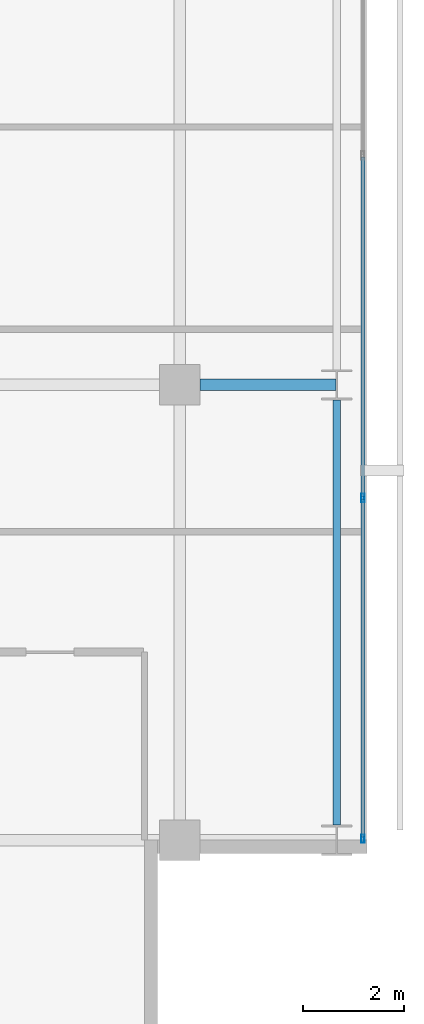
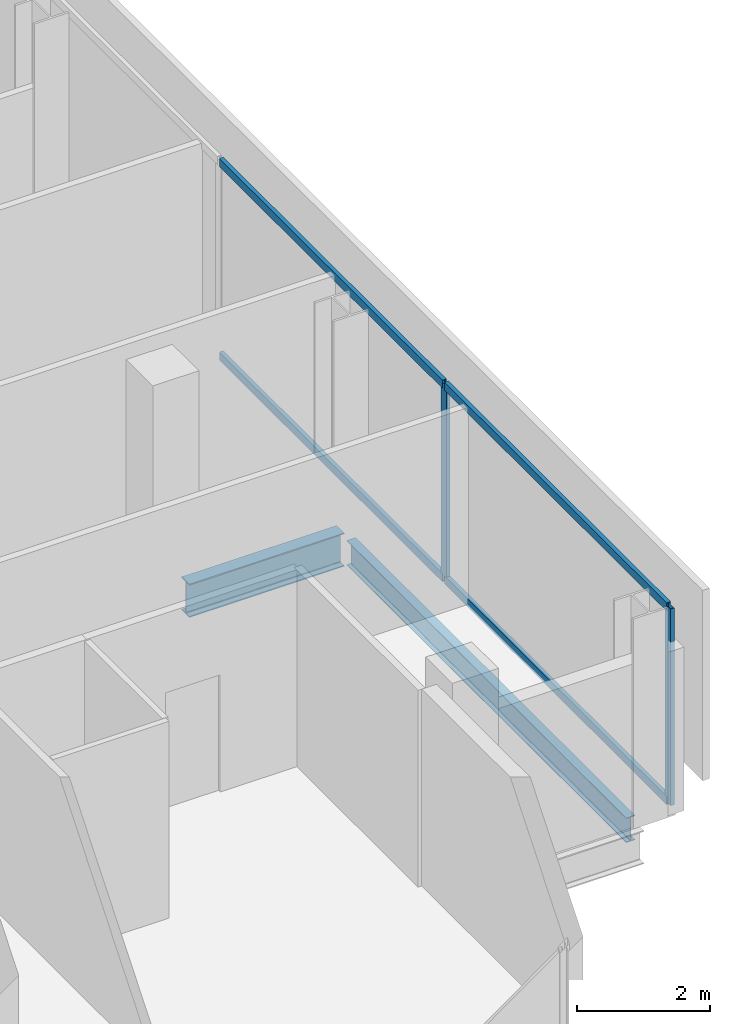
# One storey, part 15 of 34: 6 members, 2 beams, 1 element without a shape of its own.
"""IFC4 building model written with IfcOpenShell, lengths in metres."""

from ifc_helpers import new_model, si_unit, direction, frame, origin, origin_2d, place, context, subcontext, project, spatial, hollow_rectangle, i_section, extrude, material, layer, layer_set, material_profile, profile_set, type_object, element, aggregate, save


model = new_model("IFC4")

# Units and contexts
model_context = context("Model", 3, precision=1e-05, world=origin(), true_north=direction((0.0, 1.0)))
body_context = subcontext(model_context, "Body", "Model", "MODEL_VIEW")
ifc_project = project(units=[si_unit("LENGTHUNIT", "METRE"), si_unit("AREAUNIT", "SQUARE_METRE"), si_unit("VOLUMEUNIT", "CUBIC_METRE"), si_unit("PLANEANGLEUNIT", "RADIAN"), si_unit("MASSUNIT", "GRAM", prefix="KILO")], contexts=[model_context])

# Site, building, storey
site_placement = place(None, origin())
site = spatial("IfcSite", under=ifc_project, at=site_placement, CompositionType="ELEMENT")
building_placement = place(site_placement, origin())
building = spatial("IfcBuilding", under=site, at=building_placement, Name="Maruvema Waterfront Hotel and Observation Tower", CompositionType="ELEMENT")
storey_placement = place(building_placement, frame((0.0, 0.0, 127.39990234375)))
storey = spatial("IfcBuildingStorey", under=building, at=storey_placement, Name="L30", CompositionType="ELEMENT", Elevation=127.39990234375)

# Curtain wall, members
ifc_material_1 = material(Name="Anodised bronze aluminium and solar-control low-E IGU", Category="aluminium")
ifc_layer = layer(ifc_material_1, 0.159912109375, Name="Zone 2 Amber Inner Thermal Curtain Wall System CW-03")
ifc_layer_set = layer_set([ifc_layer], Name="Anodised bronze aluminium and solar-control low-E IGU")
curtain_wall_type = type_object("IfcCurtainWallType", Name="Zone 2 Amber Inner Thermal Curtain Wall System CW-03", PredefinedType="USERDEFINED", material=ifc_layer_set)
curtain_wall_placement = place(storey_placement, origin())
curtain_wall = element("IfcCurtainWall", 1, at=curtain_wall_placement, inside=storey, type_object=curtain_wall_type, Name="L30 Curtain Wall CW-L30-E", ObjectType="UNITISED CURTAIN WALL", PredefinedType="USERDEFINED")
ifc_material_2 = material(Name="Anodised architectural bronze aluminium", Category="aluminium")
ifc_material_profile_1 = material_profile(ifc_material_2, hollow_rectangle(XDim=0.070068359375, YDim=0.14990234375, WallThickness=0.00390625, at=origin_2d()), Name="ALU-T70x150")
ifc_profile_set_1 = profile_set([ifc_material_profile_1], Name="Anodised architectural bronze aluminium")
member_type_1 = type_object("IfcMemberType", Name="Curtain Wall Horizontal Transom ALU-T70x150", PredefinedType="USERDEFINED", material=ifc_profile_set_1)
member_1_placement = place(storey_placement, frame((62.419921875, 9.06005859375, 0.030029296875), z_axis=(0.0, 1.0, 0.0), x_axis=(-1.0, 0.0, 0.0)))
member_1 = element("IfcMember", 2, at=member_1_placement, type_object=member_type_1, Name="CW-03 transom 1.1", ObjectType="TRANSOM", PredefinedType="USERDEFINED", context=body_context, shape_type="SweptSolid", body=[
    extrude(hollow_rectangle(XDim=0.070068359375, YDim=0.14990234375, WallThickness=0.00390625, at=origin_2d()), origin(), (0.0, 0.0, 1.0), 6.676513671875),
])
member_2_placement = place(storey_placement, frame((62.419921875, 9.06005859375, 3.580078125), z_axis=(0.0, 1.0, 0.0), x_axis=(-1.0, 0.0, 0.0)))
member_2 = element("IfcMember", 3, at=member_2_placement, type_object=member_type_1, Name="CW-03 transom 1.2", ObjectType="TRANSOM", PredefinedType="USERDEFINED", context=body_context, shape_type="SweptSolid", body=[
    extrude(hollow_rectangle(XDim=0.070068359375, YDim=0.14990234375, WallThickness=0.00390625, at=origin_2d()), origin(), (0.0, 0.0, 1.0), 6.676513671875),
])
member_3_placement = place(storey_placement, frame((62.419921875, 15.796630859375, 0.030029296875), z_axis=(0.0, 1.0, 0.0), x_axis=(-1.0, 0.0, 0.0)))
member_3 = element("IfcMember", 4, at=member_3_placement, type_object=member_type_1, Name="CW-03 transom 2.1", ObjectType="TRANSOM", PredefinedType="USERDEFINED", context=body_context, shape_type="SweptSolid", body=[
    extrude(hollow_rectangle(XDim=0.070068359375, YDim=0.14990234375, WallThickness=0.00390625, at=origin_2d()), origin(), (0.0, 0.0, 1.0), 6.706787109375),
])
member_4_placement = place(storey_placement, frame((62.419921875, 15.796630859375, 3.580078125), z_axis=(0.0, 1.0, 0.0), x_axis=(-1.0, 0.0, 0.0)))
member_4 = element("IfcMember", 5, at=member_4_placement, type_object=member_type_1, Name="CW-03 transom 2.2", ObjectType="TRANSOM", PredefinedType="USERDEFINED", context=body_context, shape_type="SweptSolid", body=[
    extrude(hollow_rectangle(XDim=0.070068359375, YDim=0.14990234375, WallThickness=0.00390625, at=origin_2d()), origin(), (0.0, 0.0, 1.0), 6.706787109375),
])
ifc_material_3 = material(Name="Anodised architectural bronze aluminium", Category="aluminium")
ifc_material_profile_2 = material_profile(ifc_material_3, hollow_rectangle(XDim=0.06494140625, YDim=0.1650390625, WallThickness=0.00390625, at=origin_2d()), Name="ALU-M65x165")
ifc_profile_set_2 = profile_set([ifc_material_profile_2], Name="Anodised architectural bronze aluminium")
member_type_2 = type_object("IfcMemberType", Name="Curtain Wall Primary Mullion ALU-M65x165", PredefinedType="MULLION", material=ifc_profile_set_2)
member_5_placement = place(storey_placement, frame((62.419921875, 9.030029296875, 0.0), z_axis=(0.0, 0.0, 1.0), x_axis=(-1.0, 0.0, 0.0)))
member_5 = element("IfcMember", 6, at=member_5_placement, type_object=member_type_2, Name="CW-03 mullion 1", PredefinedType="MULLION", context=body_context, shape_type="SweptSolid", body=[
    extrude(hollow_rectangle(XDim=0.06494140625, YDim=0.1650390625, WallThickness=0.00390625, at=origin_2d()), origin(), (0.0, 0.0, 1.0), 3.610107421875),
])
member_6_placement = place(storey_placement, frame((62.419921875, 15.7666015625, 0.0), z_axis=(0.0, 0.0, 1.0), x_axis=(-1.0, 0.0, 0.0)))
member_6 = element("IfcMember", 7, at=member_6_placement, type_object=member_type_2, Name="CW-03 mullion 2", PredefinedType="MULLION", context=body_context, shape_type="SweptSolid", body=[
    extrude(hollow_rectangle(XDim=0.06494140625, YDim=0.1650390625, WallThickness=0.00390625, at=origin_2d()), origin(), (0.0, 0.0, 1.0), 3.610107421875),
])
aggregate(curtain_wall, [member_5, member_6, member_1, member_2, member_3, member_4])

# Beams
ifc_material_4 = material(Name="Steel ASTM A572 Grade 50", Category="steel")
ifc_material_profile_3 = material_profile(ifc_material_4, i_section(OverallWidth=0.153076171875, OverallDepth=0.455078125, WebThickness=0.008056640625, FlangeThickness=0.01318359375, FilletRadius=0.014892578125, at=origin_2d()), Name="W460x60.0")
ifc_profile_set_3 = profile_set([ifc_material_profile_3], Name="Steel ASTM A572 Grade 50")
beam_type_1 = type_object("IfcBeamType", Name="Perimeter Spandrel Beam W460x60.0", PredefinedType="SPANDREL", material=ifc_profile_set_3)
beam_1_placement = place(storey_placement, frame((61.89990234375, 9.300048828125, -0.46728515625), z_axis=(0.0, 1.0, 0.0), x_axis=(-1.0, 0.0, 0.0)))
element("IfcBeam", 8, at=beam_1_placement, inside=storey, type_object=beam_type_1, Name="L30 Floor Girder NS-29", PredefinedType="SPANDREL", context=body_context, shape_type="SweptSolid", body=[
    extrude(i_section(OverallWidth=0.153076171875, OverallDepth=0.455078125, WebThickness=0.008056640625, FlangeThickness=0.01318359375, FilletRadius=0.014892578125, at=origin_2d()), origin(), (0.0, 0.0, 1.0), 8.39990234375),
])
ifc_material_5 = material(Name="Steel ASTM A572 Grade 50", Category="steel")
ifc_material_profile_4 = material_profile(ifc_material_5, i_section(OverallWidth=0.22900390625, OverallDepth=0.612060546875, WebThickness=0.011962890625, FlangeThickness=0.01953125, FilletRadius=0.01806640625, at=origin_2d()), Name="W610x125.0")
ifc_profile_set_4 = profile_set([ifc_material_profile_4], Name="Steel ASTM A572 Grade 50")
beam_type_2 = type_object("IfcBeamType", Name="Primary Floor Girder W610x125.0", PredefinedType="BEAM", material=ifc_profile_set_4)
beam_2_placement = place(storey_placement, frame((59.199951171875, 18.0, -0.5458984375), z_axis=(1.0, 0.0, 0.0), x_axis=(0.0, 1.0, 0.0)))
element("IfcBeam", 9, at=beam_2_placement, inside=storey, type_object=beam_type_2, Name="L30 Floor Girder EW-17", PredefinedType="BEAM", context=body_context, shape_type="SweptSolid", body=[
    extrude(i_section(OverallWidth=0.22900390625, OverallDepth=0.612060546875, WebThickness=0.011962890625, FlangeThickness=0.01953125, FilletRadius=0.01806640625, at=origin_2d()), origin(), (0.0, 0.0, 1.0), 2.6875),
])

save(model, "model.ifc")
